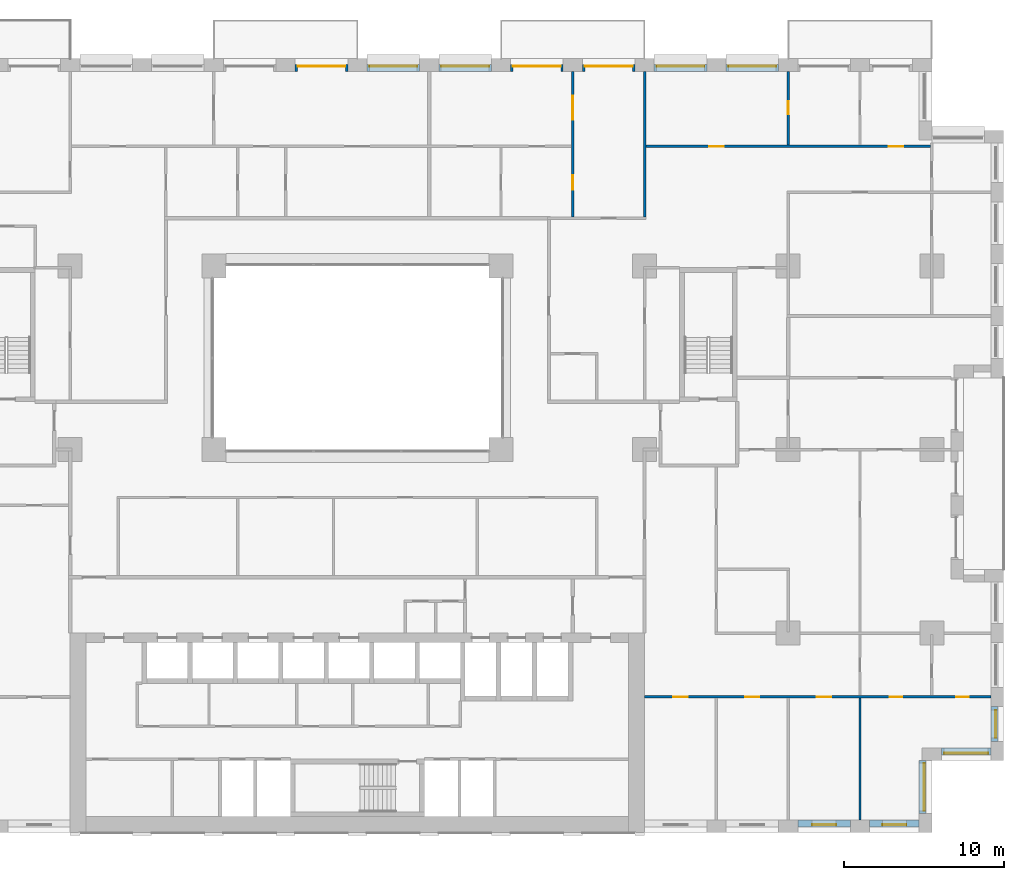
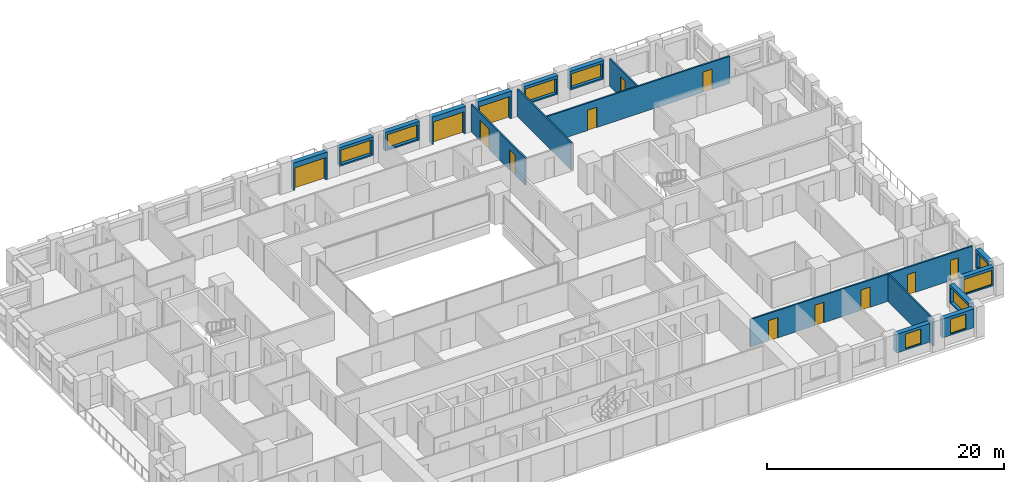
# One storey, part 15 of 19: 18 walls, 13 doors, 9 windows, 22 openings.
"""IFC4 building model written with IfcOpenShell, lengths in metres."""

from ifc_helpers import new_model, si_unit, direction, frame, frame_2d, origin, place, context, subcontext, project, spatial, rectangle, extrude, material, layer, layer_set, type_object, element, fill, save


model = new_model("IFC4")

# Units and contexts
model_context = context("Model", 3, precision=1e-05, world=origin(), true_north=direction((0.0, 1.0)))
body_context = subcontext(model_context, "Body", "Model", "MODEL_VIEW")
ifc_project = project(units=[si_unit("LENGTHUNIT", "METRE"), si_unit("AREAUNIT", "SQUARE_METRE"), si_unit("VOLUMEUNIT", "CUBIC_METRE"), si_unit("PLANEANGLEUNIT", "RADIAN"), si_unit("MASSUNIT", "GRAM", prefix="KILO")], contexts=[model_context])

# Site, building, storey
site_placement = place(None, origin())
site = spatial("IfcSite", under=ifc_project, at=site_placement, CompositionType="ELEMENT")
building_placement = place(site_placement, origin())
building = spatial("IfcBuilding", under=site, at=building_placement, Name="Brigalow Station Residences", CompositionType="ELEMENT")
storey_placement = place(building_placement, frame((0.0, 0.0, 32.10009765625)))
storey = spatial("IfcBuildingStorey", under=building, at=storey_placement, Name="L08", CompositionType="ELEMENT", Elevation=32.10009765625)

# Wall, opening, window
ifc_material_1 = material(Name="Clay brick masonry", Category="masonry")
ifc_layer_1 = layer(ifc_material_1, 0.449951171875)
ifc_layer_set_1 = layer_set([ifc_layer_1], Name="BRICK INFILL WALL 450")
wall_type_1 = type_object("IfcWallType", Name="BRICK INFILL WALL 450", PredefinedType="SOLIDWALL", material=ifc_layer_set_1)
wall_1_placement = place(storey_placement, frame((63.60009765625, 0.574951171875, 0.89990234375), z_axis=(0.0, 0.0, 1.0), x_axis=(1.0, 0.0, 0.0)))
wall_1 = element("IfcWall", 1, at=wall_1_placement, inside=storey, type_object=wall_type_1, Name="L08/ewall/W-L08-7", PredefinedType="SOLIDWALL", context=body_context, shape_type="SweptSolid", body=[
    extrude(rectangle(XDim=3.2998046875, YDim=0.449951171875, at=frame_2d((1.64990234375, 0.0))), origin(), (0.0, 0.0, 1.0), 1.929931640625),
])
opening_1_placement = place(wall_1_placement, frame((0.89990234375, 0.0, 0.14990234375)))
opening_1 = element("IfcOpeningElement", 2, at=opening_1_placement, cuts=wall_1, Name="Opening WT-1", PredefinedType="OPENING", context=body_context, shape_type="SweptSolid", body=[
    extrude(rectangle(XDim=1.5, YDim=1.5, at=frame_2d((0.75, 0.75))), frame((0.0, 0.23486328125, 0.0), z_axis=(0.0, -1.0, 0.0), x_axis=(1.0, 0.0, 0.0)), (0.0, 0.0, 1.0), 0.469970703125),
])
ifc_material_2 = material(Name="Anodised aluminium frame with double glazing", Category="aluminium")
window_type_1 = type_object("IfcWindowType", Name="WINDOW 1500x1500", PartitioningType="SINGLE_PANEL", PredefinedType="WINDOW", material=ifc_material_2)
window_1_placement = place(opening_1_placement, origin())
window_1 = element("IfcWindow", 3, at=window_1_placement, inside=storey, type_object=window_type_1, Name="L08/window/W-L08-7", OverallHeight=1.5, OverallWidth=1.5, PartitioningType="SINGLE_PANEL", PredefinedType="WINDOW", context=body_context, shape_type="SweptSolid", body=[
    extrude(rectangle(XDim=1.5, YDim=1.5, at=frame_2d((0.75, 0.75))), frame((0.0, -0.06494140625, 0.0), z_axis=(0.0, -1.0, 0.0), x_axis=(1.0, 0.0, 0.0)), (0.0, 0.0, 1.0), 0.06005859375),
])
fill(opening_1, window_1)

wall_2_placement = place(storey_placement, frame((68.10009765625, 0.574951171875, 0.89990234375), z_axis=(0.0, 0.0, 1.0), x_axis=(1.0, 0.0, 0.0)))
wall_2 = element("IfcWall", 4, at=wall_2_placement, inside=storey, type_object=wall_type_1, Name="L08/ewall/W-L08-8", PredefinedType="SOLIDWALL", context=body_context, shape_type="SweptSolid", body=[
    extrude(rectangle(XDim=3.099853515625, YDim=0.449951171875, at=frame_2d((1.5498046875, 0.0))), origin(), (0.0, 0.0, 1.0), 1.929931640625),
])
opening_2_placement = place(wall_2_placement, frame((0.800048828125, 0.0, 0.14990234375)))
opening_2 = element("IfcOpeningElement", 5, at=opening_2_placement, cuts=wall_2, Name="Opening WT-1", PredefinedType="OPENING", context=body_context, shape_type="SweptSolid", body=[
    extrude(rectangle(XDim=1.5, YDim=1.5, at=frame_2d((0.75, 0.75))), frame((0.0, 0.23486328125, 0.0), z_axis=(0.0, -1.0, 0.0), x_axis=(1.0, 0.0, 0.0)), (0.0, 0.0, 1.0), 0.469970703125),
])
window_2_placement = place(opening_2_placement, origin())
window_2 = element("IfcWindow", 6, at=window_2_placement, inside=storey, type_object=window_type_1, Name="L08/window/W-L08-8", OverallHeight=1.5, OverallWidth=1.5, PartitioningType="SINGLE_PANEL", PredefinedType="WINDOW", context=body_context, shape_type="SweptSolid", body=[
    extrude(rectangle(XDim=1.5, YDim=1.5, at=frame_2d((0.75, 0.75))), frame((0.0, -0.06494140625, 0.0), z_axis=(0.0, -1.0, 0.0), x_axis=(1.0, 0.0, 0.0)), (0.0, 0.0, 1.0), 0.06005859375),
])
fill(opening_2, window_2)

wall_3_placement = place(storey_placement, frame((71.425048828125, 1.199951171875, 0.89990234375), z_axis=(0.0, 0.0, 1.0), x_axis=(0.0, 1.0, 0.0)))
wall_3 = element("IfcWall", 7, at=wall_3_placement, inside=storey, type_object=wall_type_1, Name="L08/ewall/W-L08-9", PredefinedType="SOLIDWALL", context=body_context, shape_type="SweptSolid", body=[
    extrude(rectangle(XDim=3.300048828125, YDim=0.449951171875, at=frame_2d((1.64990234375, 0.0))), origin(), (0.0, 0.0, 1.0), 1.929931640625),
])
opening_3_placement = place(wall_3_placement, frame((0.14990234375, 0.0, 0.14990234375)))
opening_3 = element("IfcOpeningElement", 8, at=opening_3_placement, cuts=wall_3, Name="Opening WT-2", PredefinedType="OPENING", context=body_context, shape_type="SweptSolid", body=[
    extrude(rectangle(XDim=3.0, YDim=1.5, at=frame_2d((1.5, 0.75))), frame((0.0, 0.23486328125, 0.0), z_axis=(0.0, -1.0, 0.0), x_axis=(1.0, 0.0, 0.0)), (0.0, 0.0, 1.0), 0.469970703125),
])
ifc_material_3 = material(Name="Anodised aluminium frame with double glazing", Category="aluminium")
window_type_2 = type_object("IfcWindowType", Name="WINDOW 3000x1500", PartitioningType="SINGLE_PANEL", PredefinedType="WINDOW", material=ifc_material_3)
window_3_placement = place(opening_3_placement, origin())
window_3 = element("IfcWindow", 9, at=window_3_placement, inside=storey, type_object=window_type_2, Name="L08/window/W-L08-9", OverallHeight=1.5, OverallWidth=3.0, PartitioningType="SINGLE_PANEL", PredefinedType="WINDOW", context=body_context, shape_type="SweptSolid", body=[
    extrude(rectangle(XDim=3.0, YDim=1.5, at=frame_2d((1.5, 0.75))), frame((0.0, -0.06494140625, 0.0), z_axis=(0.0, -1.0, 0.0), x_axis=(1.0, 0.0, 0.0)), (0.0, 0.0, 1.0), 0.06005859375),
])
fill(opening_3, window_3)

wall_4_placement = place(storey_placement, frame((72.60009765625, 5.074951171875, 0.89990234375), z_axis=(0.0, 0.0, 1.0), x_axis=(1.0, 0.0, 0.0)))
wall_4 = element("IfcWall", 10, at=wall_4_placement, inside=storey, type_object=wall_type_1, Name="L08/ewall/W-L08-10", PredefinedType="SOLIDWALL", context=body_context, shape_type="SweptSolid", body=[
    extrude(rectangle(XDim=3.099853515625, YDim=0.449951171875, at=frame_2d((1.5498046875, 0.0))), origin(), (0.0, 0.0, 1.0), 1.929931640625),
])
opening_4_placement = place(wall_4_placement, frame((0.175048828125, 0.0, 0.14990234375)))
opening_4 = element("IfcOpeningElement", 11, at=opening_4_placement, cuts=wall_4, Name="Opening WT-3", PredefinedType="OPENING", context=body_context, shape_type="SweptSolid", body=[
    extrude(rectangle(XDim=2.75, YDim=1.5, at=frame_2d((1.375, 0.75))), frame((0.0, 0.23486328125, 0.0), z_axis=(0.0, -1.0, 0.0), x_axis=(1.0, 0.0, 0.0)), (0.0, 0.0, 1.0), 0.469970703125),
])
ifc_material_4 = material(Name="Anodised aluminium frame with double glazing", Category="aluminium")
window_type_3 = type_object("IfcWindowType", Name="WINDOW 2750x1500", PartitioningType="SINGLE_PANEL", PredefinedType="WINDOW", material=ifc_material_4)
window_4_placement = place(opening_4_placement, origin())
window_4 = element("IfcWindow", 12, at=window_4_placement, inside=storey, type_object=window_type_3, Name="L08/window/W-L08-10", OverallHeight=1.5, OverallWidth=2.75, PartitioningType="SINGLE_PANEL", PredefinedType="WINDOW", context=body_context, shape_type="SweptSolid", body=[
    extrude(rectangle(XDim=2.75, YDim=1.5, at=frame_2d((1.375, 0.75))), frame((0.0, -0.06494140625, 0.0), z_axis=(0.0, -1.0, 0.0), x_axis=(1.0, 0.0, 0.0)), (0.0, 0.0, 1.0), 0.06005859375),
])
fill(opening_4, window_4)

wall_5_placement = place(storey_placement, frame((75.925048828125, 5.699951171875, 0.89990234375), z_axis=(0.0, 0.0, 1.0), x_axis=(0.0, 1.0, 0.0)))
wall_5 = element("IfcWall", 13, at=wall_5_placement, inside=storey, type_object=wall_type_1, Name="L08/ewall/W-L08-11", PredefinedType="SOLIDWALL", context=body_context, shape_type="SweptSolid", body=[
    extrude(rectangle(XDim=2.199951171875, YDim=0.449951171875, at=frame_2d((1.10009765625, 0.0))), origin(), (0.0, 0.0, 1.0), 1.929931640625),
])
opening_5_placement = place(wall_5_placement, frame((0.22509765625, 0.0, 0.14990234375)))
opening_5 = element("IfcOpeningElement", 14, at=opening_5_placement, cuts=wall_5, Name="Opening WT-4", PredefinedType="OPENING", context=body_context, shape_type="SweptSolid", body=[
    extrude(rectangle(XDim=1.75, YDim=1.5, at=frame_2d((0.875, 0.75))), frame((0.0, 0.23486328125, 0.0), z_axis=(0.0, -1.0, 0.0), x_axis=(1.0, 0.0, 0.0)), (0.0, 0.0, 1.0), 0.469970703125),
])
ifc_material_5 = material(Name="Anodised aluminium frame with double glazing", Category="aluminium")
window_type_4 = type_object("IfcWindowType", Name="WINDOW 1750x1500", PartitioningType="SINGLE_PANEL", PredefinedType="WINDOW", material=ifc_material_5)
window_5_placement = place(opening_5_placement, origin())
window_5 = element("IfcWindow", 15, at=window_5_placement, inside=storey, type_object=window_type_4, Name="L08/window/W-L08-11", OverallHeight=1.5, OverallWidth=1.75, PartitioningType="SINGLE_PANEL", PredefinedType="WINDOW", context=body_context, shape_type="SweptSolid", body=[
    extrude(rectangle(XDim=1.75, YDim=1.5, at=frame_2d((0.875, 0.75))), frame((0.0, -0.06494140625, 0.0), z_axis=(0.0, -1.0, 0.0), x_axis=(1.0, 0.0, 0.0)), (0.0, 0.0, 1.0), 0.06005859375),
])
fill(opening_5, window_5)

wall_6_placement = place(storey_placement, frame((62.39990234375, 47.925048828125, 0.89990234375), z_axis=(0.0, 0.0, 1.0), x_axis=(-1.0, 0.0, 0.0)))
wall_6 = element("IfcWall", 16, at=wall_6_placement, inside=storey, type_object=wall_type_1, Name="L08/ewall/W-L08-27", PredefinedType="SOLIDWALL", context=body_context, shape_type="SweptSolid", body=[
    extrude(rectangle(XDim=3.2998046875, YDim=0.449951171875, at=frame_2d((1.64990234375, 0.0))), origin(), (0.0, 0.0, 1.0), 1.929931640625),
])
opening_6_placement = place(wall_6_placement, frame((0.14990234375, 0.0, 0.14990234375)))
opening_6 = element("IfcOpeningElement", 17, at=opening_6_placement, cuts=wall_6, Name="Opening WT-2", PredefinedType="OPENING", context=body_context, shape_type="SweptSolid", body=[
    extrude(rectangle(XDim=3.0, YDim=1.5, at=frame_2d((1.5, 0.75))), frame((0.0, 0.23486328125, 0.0), z_axis=(0.0, -1.0, 0.0), x_axis=(1.0, 0.0, 0.0)), (0.0, 0.0, 1.0), 0.469970703125),
])
window_6_placement = place(opening_6_placement, origin())
window_6 = element("IfcWindow", 18, at=window_6_placement, inside=storey, type_object=window_type_2, Name="L08/window/W-L08-27", OverallHeight=1.5, OverallWidth=3.0, PartitioningType="SINGLE_PANEL", PredefinedType="WINDOW", context=body_context, shape_type="SweptSolid", body=[
    extrude(rectangle(XDim=3.0, YDim=1.5, at=frame_2d((1.5, 0.75))), frame((0.0, -0.06494140625, 0.0), z_axis=(0.0, -1.0, 0.0), x_axis=(1.0, 0.0, 0.0)), (0.0, 0.0, 1.0), 0.06005859375),
])
fill(opening_6, window_6)

wall_7_placement = place(storey_placement, frame((57.89990234375, 47.925048828125, 0.89990234375), z_axis=(0.0, 0.0, 1.0), x_axis=(-1.0, 0.0, 0.0)))
wall_7 = element("IfcWall", 19, at=wall_7_placement, inside=storey, type_object=wall_type_1, Name="L08/ewall/W-L08-28", PredefinedType="SOLIDWALL", context=body_context, shape_type="SweptSolid", body=[
    extrude(rectangle(XDim=3.2998046875, YDim=0.449951171875, at=frame_2d((1.64990234375, 0.0))), origin(), (0.0, 0.0, 1.0), 1.929931640625),
])
opening_7_placement = place(wall_7_placement, frame((0.14990234375, 0.0, 0.14990234375)))
opening_7 = element("IfcOpeningElement", 20, at=opening_7_placement, cuts=wall_7, Name="Opening WT-2", PredefinedType="OPENING", context=body_context, shape_type="SweptSolid", body=[
    extrude(rectangle(XDim=3.0, YDim=1.5, at=frame_2d((1.5, 0.75))), frame((0.0, 0.23486328125, 0.0), z_axis=(0.0, -1.0, 0.0), x_axis=(1.0, 0.0, 0.0)), (0.0, 0.0, 1.0), 0.469970703125),
])
window_7_placement = place(opening_7_placement, origin())
window_7 = element("IfcWindow", 21, at=window_7_placement, inside=storey, type_object=window_type_2, Name="L08/window/W-L08-28", OverallHeight=1.5, OverallWidth=3.0, PartitioningType="SINGLE_PANEL", PredefinedType="WINDOW", context=body_context, shape_type="SweptSolid", body=[
    extrude(rectangle(XDim=3.0, YDim=1.5, at=frame_2d((1.5, 0.75))), frame((0.0, -0.06494140625, 0.0), z_axis=(0.0, -1.0, 0.0), x_axis=(1.0, 0.0, 0.0)), (0.0, 0.0, 1.0), 0.06005859375),
])
fill(opening_7, window_7)

# Wall, opening, door
wall_8_placement = place(storey_placement, frame((53.39990234375, 47.925048828125, 0.0), z_axis=(0.0, 0.0, 1.0), x_axis=(-1.0, 0.0, 0.0)))
wall_8 = element("IfcWall", 22, at=wall_8_placement, inside=storey, type_object=wall_type_1, Name="L08/ewall/W-L08-29", PredefinedType="SOLIDWALL", context=body_context, shape_type="SweptSolid", body=[
    extrude(rectangle(XDim=3.2998046875, YDim=0.449951171875, at=frame_2d((1.64990234375, 0.0))), origin(), (0.0, 0.0, 1.0), 2.829833984375),
])
opening_8_placement = place(wall_8_placement, frame((0.14990234375, 0.0, 0.0)))
opening_8 = element("IfcOpeningElement", 23, at=opening_8_placement, cuts=wall_8, Name="Opening D-B3000", PredefinedType="OPENING", context=body_context, shape_type="SweptSolid", body=[
    extrude(rectangle(XDim=3.0, YDim=2.300048828125, at=frame_2d((1.5, 1.14990234375))), frame((0.0, 0.23486328125, 0.0), z_axis=(0.0, -1.0, 0.0), x_axis=(1.0, 0.0, 0.0)), (0.0, 0.0, 1.0), 0.469970703125),
])
ifc_material_6 = material(Name="Anodised aluminium frame with double glazing", Category="aluminium")
door_type_1 = type_object("IfcDoorType", Name="BALCONY SLIDING DOOR 3000x2300", OperationType="SLIDING_TO_LEFT", PredefinedType="DOOR", material=ifc_material_6)
door_1_placement = place(opening_8_placement, origin())
door_1 = element("IfcDoor", 24, at=door_1_placement, inside=storey, type_object=door_type_1, Name="L08/balcony-door/W-L08-29", OperationType="SLIDING_TO_LEFT", OverallHeight=2.300048828125, OverallWidth=3.0, PredefinedType="DOOR", context=body_context, shape_type="SweptSolid", body=[
    extrude(rectangle(XDim=3.0, YDim=2.300048828125, at=frame_2d((1.5, 1.14990234375))), frame((0.0, -0.06982421875, 0.0), z_axis=(0.0, -1.0, 0.0), x_axis=(1.0, 0.0, 0.0)), (0.0, 0.0, 1.0), 0.050048828125),
])
fill(opening_8, door_1)

wall_9_placement = place(storey_placement, frame((48.89990234375, 47.925048828125, 0.0), z_axis=(0.0, 0.0, 1.0), x_axis=(-1.0, 0.0, 0.0)))
wall_9 = element("IfcWall", 25, at=wall_9_placement, inside=storey, type_object=wall_type_1, Name="L08/ewall/W-L08-30", PredefinedType="SOLIDWALL", context=body_context, shape_type="SweptSolid", body=[
    extrude(rectangle(XDim=3.2998046875, YDim=0.449951171875, at=frame_2d((1.64990234375, 0.0))), origin(), (0.0, 0.0, 1.0), 2.829833984375),
])
opening_9_placement = place(wall_9_placement, frame((0.14990234375, 0.0, 0.0)))
opening_9 = element("IfcOpeningElement", 26, at=opening_9_placement, cuts=wall_9, Name="Opening D-B3000", PredefinedType="OPENING", context=body_context, shape_type="SweptSolid", body=[
    extrude(rectangle(XDim=3.0, YDim=2.300048828125, at=frame_2d((1.5, 1.14990234375))), frame((0.0, 0.23486328125, 0.0), z_axis=(0.0, -1.0, 0.0), x_axis=(1.0, 0.0, 0.0)), (0.0, 0.0, 1.0), 0.469970703125),
])
door_2_placement = place(opening_9_placement, origin())
door_2 = element("IfcDoor", 27, at=door_2_placement, inside=storey, type_object=door_type_1, Name="L08/balcony-door/W-L08-30", OperationType="SLIDING_TO_LEFT", OverallHeight=2.300048828125, OverallWidth=3.0, PredefinedType="DOOR", context=body_context, shape_type="SweptSolid", body=[
    extrude(rectangle(XDim=3.0, YDim=2.300048828125, at=frame_2d((1.5, 1.14990234375))), frame((0.0, -0.06982421875, 0.0), z_axis=(0.0, -1.0, 0.0), x_axis=(1.0, 0.0, 0.0)), (0.0, 0.0, 1.0), 0.050048828125),
])
fill(opening_9, door_2)

# Wall, opening, window
wall_10_placement = place(storey_placement, frame((44.39990234375, 47.925048828125, 0.89990234375), z_axis=(0.0, 0.0, 1.0), x_axis=(-1.0, 0.0, 0.0)))
wall_10 = element("IfcWall", 28, at=wall_10_placement, inside=storey, type_object=wall_type_1, Name="L08/ewall/W-L08-31", PredefinedType="SOLIDWALL", context=body_context, shape_type="SweptSolid", body=[
    extrude(rectangle(XDim=3.2998046875, YDim=0.449951171875, at=frame_2d((1.64990234375, 0.0))), origin(), (0.0, 0.0, 1.0), 1.929931640625),
])
opening_10_placement = place(wall_10_placement, frame((0.14990234375, 0.0, 0.14990234375)))
opening_10 = element("IfcOpeningElement", 29, at=opening_10_placement, cuts=wall_10, Name="Opening WT-2", PredefinedType="OPENING", context=body_context, shape_type="SweptSolid", body=[
    extrude(rectangle(XDim=3.0, YDim=1.5, at=frame_2d((1.5, 0.75))), frame((0.0, 0.23486328125, 0.0), z_axis=(0.0, -1.0, 0.0), x_axis=(1.0, 0.0, 0.0)), (0.0, 0.0, 1.0), 0.469970703125),
])
window_8_placement = place(opening_10_placement, origin())
window_8 = element("IfcWindow", 30, at=window_8_placement, inside=storey, type_object=window_type_2, Name="L08/window/W-L08-31", OverallHeight=1.5, OverallWidth=3.0, PartitioningType="SINGLE_PANEL", PredefinedType="WINDOW", context=body_context, shape_type="SweptSolid", body=[
    extrude(rectangle(XDim=3.0, YDim=1.5, at=frame_2d((1.5, 0.75))), frame((0.0, -0.06494140625, 0.0), z_axis=(0.0, -1.0, 0.0), x_axis=(1.0, 0.0, 0.0)), (0.0, 0.0, 1.0), 0.06005859375),
])
fill(opening_10, window_8)

wall_11_placement = place(storey_placement, frame((39.89990234375, 47.925048828125, 0.89990234375), z_axis=(0.0, 0.0, 1.0), x_axis=(-1.0, 0.0, 0.0)))
wall_11 = element("IfcWall", 31, at=wall_11_placement, inside=storey, type_object=wall_type_1, Name="L08/ewall/W-L08-32", PredefinedType="SOLIDWALL", context=body_context, shape_type="SweptSolid", body=[
    extrude(rectangle(XDim=3.2998046875, YDim=0.449951171875, at=frame_2d((1.64990234375, 0.0))), origin(), (0.0, 0.0, 1.0), 1.929931640625),
])
opening_11_placement = place(wall_11_placement, frame((0.14990234375, 0.0, 0.14990234375)))
opening_11 = element("IfcOpeningElement", 32, at=opening_11_placement, cuts=wall_11, Name="Opening WT-2", PredefinedType="OPENING", context=body_context, shape_type="SweptSolid", body=[
    extrude(rectangle(XDim=3.0, YDim=1.5, at=frame_2d((1.5, 0.75))), frame((0.0, 0.23486328125, 0.0), z_axis=(0.0, -1.0, 0.0), x_axis=(1.0, 0.0, 0.0)), (0.0, 0.0, 1.0), 0.469970703125),
])
window_9_placement = place(opening_11_placement, origin())
window_9 = element("IfcWindow", 33, at=window_9_placement, inside=storey, type_object=window_type_2, Name="L08/window/W-L08-32", OverallHeight=1.5, OverallWidth=3.0, PartitioningType="SINGLE_PANEL", PredefinedType="WINDOW", context=body_context, shape_type="SweptSolid", body=[
    extrude(rectangle(XDim=3.0, YDim=1.5, at=frame_2d((1.5, 0.75))), frame((0.0, -0.06494140625, 0.0), z_axis=(0.0, -1.0, 0.0), x_axis=(1.0, 0.0, 0.0)), (0.0, 0.0, 1.0), 0.06005859375),
])
fill(opening_11, window_9)

# Wall, opening, door
wall_12_placement = place(storey_placement, frame((35.39990234375, 47.925048828125, 0.0), z_axis=(0.0, 0.0, 1.0), x_axis=(-1.0, 0.0, 0.0)))
wall_12 = element("IfcWall", 34, at=wall_12_placement, inside=storey, type_object=wall_type_1, Name="L08/ewall/W-L08-33", PredefinedType="SOLIDWALL", context=body_context, shape_type="SweptSolid", body=[
    extrude(rectangle(XDim=3.2998046875, YDim=0.449951171875, at=frame_2d((1.64990234375, 0.0))), origin(), (0.0, 0.0, 1.0), 2.829833984375),
])
opening_12_placement = place(wall_12_placement, frame((0.14990234375, 0.0, 0.0)))
opening_12 = element("IfcOpeningElement", 35, at=opening_12_placement, cuts=wall_12, Name="Opening D-B3000", PredefinedType="OPENING", context=body_context, shape_type="SweptSolid", body=[
    extrude(rectangle(XDim=3.0, YDim=2.300048828125, at=frame_2d((1.5, 1.14990234375))), frame((0.0, 0.23486328125, 0.0), z_axis=(0.0, -1.0, 0.0), x_axis=(1.0, 0.0, 0.0)), (0.0, 0.0, 1.0), 0.469970703125),
])
door_3_placement = place(opening_12_placement, origin())
door_3 = element("IfcDoor", 36, at=door_3_placement, inside=storey, type_object=door_type_1, Name="L08/balcony-door/W-L08-33", OperationType="SLIDING_TO_LEFT", OverallHeight=2.300048828125, OverallWidth=3.0, PredefinedType="DOOR", context=body_context, shape_type="SweptSolid", body=[
    extrude(rectangle(XDim=3.0, YDim=2.300048828125, at=frame_2d((1.5, 1.14990234375))), frame((0.0, -0.06982421875, 0.0), z_axis=(0.0, -1.0, 0.0), x_axis=(1.0, 0.0, 0.0)), (0.0, 0.0, 1.0), 0.050048828125),
])
fill(opening_12, door_3)

# Wall, openings, doors
ifc_material_7 = material(Name="Plasterboard on steel stud partition", Category="steel")
ifc_layer_2 = layer(ifc_material_7, 0.14990234375)
ifc_layer_set_2 = layer_set([ifc_layer_2], Name="FLAT PARTITION 150")
wall_type_2 = type_object("IfcWallType", Name="FLAT PARTITION 150", PredefinedType="PARTITIONING", material=ifc_layer_set_2)
wall_13_placement = place(storey_placement, frame((54.0, 8.5, 0.0), z_axis=(0.0, 0.0, 1.0), x_axis=(1.0, 0.0, 0.0)))
wall_13 = element("IfcWall", 37, at=wall_13_placement, inside=storey, type_object=wall_type_2, Name="PW-1B13", PredefinedType="PARTITIONING", context=body_context, shape_type="SweptSolid", body=[
    extrude(rectangle(XDim=21.699951171875, YDim=0.14990234375, at=frame_2d((10.85009765625, 0.0))), origin(), (0.0, 0.0, 1.0), 2.829833984375),
])
opening_13_placement = place(wall_13_placement, frame((1.800048828125, 0.0, 0.0)))
opening_13 = element("IfcOpeningElement", 38, at=opening_13_placement, cuts=wall_13, Name="Opening D-1B55", PredefinedType="OPENING", context=body_context, shape_type="SweptSolid", body=[
    extrude(rectangle(XDim=0.89990234375, YDim=2.10009765625, at=frame_2d((0.449951171875, 1.050048828125))), frame((0.0, 0.0849609375, 0.0), z_axis=(0.0, -1.0, 0.0), x_axis=(1.0, 0.0, 0.0)), (0.0, 0.0, 1.0), 0.169921875),
])
opening_14_placement = place(wall_13_placement, frame((6.300048828125, 0.0, 0.0)))
opening_14 = element("IfcOpeningElement", 39, at=opening_14_placement, cuts=wall_13, Name="Opening D-1B56", PredefinedType="OPENING", context=body_context, shape_type="SweptSolid", body=[
    extrude(rectangle(XDim=0.89990234375, YDim=2.10009765625, at=frame_2d((0.449951171875, 1.050048828125))), frame((0.0, 0.0849609375, 0.0), z_axis=(0.0, -1.0, 0.0), x_axis=(1.0, 0.0, 0.0)), (0.0, 0.0, 1.0), 0.169921875),
])
opening_15_placement = place(wall_13_placement, frame((10.800048828125, 0.0, 0.0)))
opening_15 = element("IfcOpeningElement", 40, at=opening_15_placement, cuts=wall_13, Name="Opening D-1B57", PredefinedType="OPENING", context=body_context, shape_type="SweptSolid", body=[
    extrude(rectangle(XDim=0.89990234375, YDim=2.10009765625, at=frame_2d((0.449951171875, 1.050048828125))), frame((0.0, 0.0849609375, 0.0), z_axis=(0.0, -1.0, 0.0), x_axis=(1.0, 0.0, 0.0)), (0.0, 0.0, 1.0), 0.169921875),
])
opening_16_placement = place(wall_13_placement, frame((19.52490234375, 0.0, 0.0)))
opening_16 = element("IfcOpeningElement", 41, at=opening_16_placement, cuts=wall_13, Name="Opening D-1B62", PredefinedType="OPENING", context=body_context, shape_type="SweptSolid", body=[
    extrude(rectangle(XDim=0.800048828125, YDim=2.10009765625, at=frame_2d((0.39990234375, 1.050048828125))), frame((0.0, 0.0849609375, 0.0), z_axis=(0.0, -1.0, 0.0), x_axis=(1.0, 0.0, 0.0)), (0.0, 0.0, 1.0), 0.169921875),
])
opening_17_placement = place(wall_13_placement, frame((15.35009765625, 0.0, 0.0)))
opening_17 = element("IfcOpeningElement", 42, at=opening_17_placement, cuts=wall_13, Name="Opening D-1B68", PredefinedType="OPENING", context=body_context, shape_type="SweptSolid", body=[
    extrude(rectangle(XDim=0.800048828125, YDim=2.10009765625, at=frame_2d((0.39990234375, 1.050048828125))), frame((0.0, 0.0849609375, 0.0), z_axis=(0.0, -1.0, 0.0), x_axis=(1.0, 0.0, 0.0)), (0.0, 0.0, 1.0), 0.169921875),
])
ifc_material_8 = material(Name="Solid-core timber door leaf", Category="wood")
door_type_2 = type_object("IfcDoorType", Name="INTERNAL DOOR 800 x 2100", OperationType="SINGLE_SWING_LEFT", PredefinedType="DOOR", material=ifc_material_8)
door_4_placement = place(opening_16_placement, origin())
door_4 = element("IfcDoor", 43, at=door_4_placement, inside=storey, type_object=door_type_2, Name="D-1B62", OperationType="SINGLE_SWING_RIGHT", OverallHeight=2.10009765625, OverallWidth=0.800048828125, PredefinedType="DOOR", context=body_context, shape_type="SweptSolid", body=[
    extrude(rectangle(XDim=0.800048828125, YDim=2.10009765625, at=frame_2d((0.39990234375, 1.050048828125))), frame((0.0, 0.02490234375, 0.0), z_axis=(0.0, -1.0, 0.0), x_axis=(1.0, 0.0, 0.0)), (0.0, 0.0, 1.0), 0.050048828125),
])
fill(opening_16, door_4)
door_5_placement = place(opening_17_placement, origin())
door_5 = element("IfcDoor", 44, at=door_5_placement, inside=storey, type_object=door_type_2, Name="D-1B68", OperationType="SINGLE_SWING_RIGHT", OverallHeight=2.10009765625, OverallWidth=0.800048828125, PredefinedType="DOOR", context=body_context, shape_type="SweptSolid", body=[
    extrude(rectangle(XDim=0.800048828125, YDim=2.10009765625, at=frame_2d((0.39990234375, 1.050048828125))), frame((0.0, 0.02490234375, 0.0), z_axis=(0.0, -1.0, 0.0), x_axis=(1.0, 0.0, 0.0)), (0.0, 0.0, 1.0), 0.050048828125),
])
fill(opening_17, door_5)
ifc_material_9 = material(Name="Solid-core timber door leaf", Category="wood")
door_type_3 = type_object("IfcDoorType", Name="INTERNAL DOOR 900 x 2100", OperationType="SINGLE_SWING_LEFT", PredefinedType="DOOR", material=ifc_material_9)
door_6_placement = place(opening_13_placement, frame((0.89990234375, 0.0, 0.0), z_axis=(0.0, 0.0, 1.0), x_axis=(-1.0, 0.0, 0.0)))
door_6 = element("IfcDoor", 45, at=door_6_placement, inside=storey, type_object=door_type_3, Name="D-1B55", OperationType="SINGLE_SWING_LEFT", OverallHeight=2.10009765625, OverallWidth=0.89990234375, PredefinedType="DOOR", context=body_context, shape_type="SweptSolid", body=[
    extrude(rectangle(XDim=0.89990234375, YDim=2.10009765625, at=frame_2d((0.449951171875, 1.050048828125))), frame((0.0, 0.02490234375, 0.0), z_axis=(0.0, -1.0, 0.0), x_axis=(1.0, 0.0, 0.0)), (0.0, 0.0, 1.0), 0.050048828125),
])
fill(opening_13, door_6)
door_7_placement = place(opening_14_placement, frame((0.89990234375, 0.0, 0.0), z_axis=(0.0, 0.0, 1.0), x_axis=(-1.0, 0.0, 0.0)))
door_7 = element("IfcDoor", 46, at=door_7_placement, inside=storey, type_object=door_type_3, Name="D-1B56", OperationType="SINGLE_SWING_LEFT", OverallHeight=2.10009765625, OverallWidth=0.89990234375, PredefinedType="DOOR", context=body_context, shape_type="SweptSolid", body=[
    extrude(rectangle(XDim=0.89990234375, YDim=2.10009765625, at=frame_2d((0.449951171875, 1.050048828125))), frame((0.0, 0.02490234375, 0.0), z_axis=(0.0, -1.0, 0.0), x_axis=(1.0, 0.0, 0.0)), (0.0, 0.0, 1.0), 0.050048828125),
])
fill(opening_14, door_7)
door_8_placement = place(opening_15_placement, frame((0.89990234375, 0.0, 0.0), z_axis=(0.0, 0.0, 1.0), x_axis=(-1.0, 0.0, 0.0)))
door_8 = element("IfcDoor", 47, at=door_8_placement, inside=storey, type_object=door_type_3, Name="D-1B57", OperationType="SINGLE_SWING_RIGHT", OverallHeight=2.10009765625, OverallWidth=0.89990234375, PredefinedType="DOOR", context=body_context, shape_type="SweptSolid", body=[
    extrude(rectangle(XDim=0.89990234375, YDim=2.10009765625, at=frame_2d((0.449951171875, 1.050048828125))), frame((0.0, 0.02490234375, 0.0), z_axis=(0.0, -1.0, 0.0), x_axis=(1.0, 0.0, 0.0)), (0.0, 0.0, 1.0), 0.050048828125),
])
fill(opening_15, door_8)

wall_14_placement = place(storey_placement, frame((54.074951171875, 43.0, 0.0), z_axis=(0.0, 0.0, 1.0), x_axis=(1.0, 0.0, 0.0)))
wall_14 = element("IfcWall", 48, at=wall_14_placement, inside=storey, type_object=wall_type_2, Name="PW-1B24", PredefinedType="PARTITIONING", context=body_context, shape_type="SweptSolid", body=[
    extrude(rectangle(XDim=17.85009765625, YDim=0.14990234375, at=frame_2d((8.925048828125, 0.0))), origin(), (0.0, 0.0, 1.0), 2.829833984375),
])
opening_18_placement = place(wall_14_placement, frame((15.22509765625, 0.0, 0.0)))
opening_18 = element("IfcOpeningElement", 49, at=opening_18_placement, cuts=wall_14, Name="Opening D-1B38", PredefinedType="OPENING", context=body_context, shape_type="SweptSolid", body=[
    extrude(rectangle(XDim=0.89990234375, YDim=2.10009765625, at=frame_2d((0.449951171875, 1.050048828125))), frame((0.0, 0.0849609375, 0.0), z_axis=(0.0, -1.0, 0.0), x_axis=(1.0, 0.0, 0.0)), (0.0, 0.0, 1.0), 0.169921875),
])
opening_19_placement = place(wall_14_placement, frame((3.97509765625, 0.0, 0.0)))
opening_19 = element("IfcOpeningElement", 50, at=opening_19_placement, cuts=wall_14, Name="Opening D-1B44", PredefinedType="OPENING", context=body_context, shape_type="SweptSolid", body=[
    extrude(rectangle(XDim=0.89990234375, YDim=2.10009765625, at=frame_2d((0.449951171875, 1.050048828125))), frame((0.0, 0.0849609375, 0.0), z_axis=(0.0, -1.0, 0.0), x_axis=(1.0, 0.0, 0.0)), (0.0, 0.0, 1.0), 0.169921875),
])
door_9_placement = place(opening_18_placement, origin())
door_9 = element("IfcDoor", 51, at=door_9_placement, inside=storey, type_object=door_type_3, Name="D-1B38", OperationType="SINGLE_SWING_RIGHT", OverallHeight=2.10009765625, OverallWidth=0.89990234375, PredefinedType="DOOR", context=body_context, shape_type="SweptSolid", body=[
    extrude(rectangle(XDim=0.89990234375, YDim=2.10009765625, at=frame_2d((0.449951171875, 1.050048828125))), frame((0.0, 0.02490234375, 0.0), z_axis=(0.0, -1.0, 0.0), x_axis=(1.0, 0.0, 0.0)), (0.0, 0.0, 1.0), 0.050048828125),
])
fill(opening_18, door_9)
door_10_placement = place(opening_19_placement, origin())
door_10 = element("IfcDoor", 52, at=door_10_placement, inside=storey, type_object=door_type_3, Name="D-1B44", OperationType="SINGLE_SWING_RIGHT", OverallHeight=2.10009765625, OverallWidth=0.89990234375, PredefinedType="DOOR", context=body_context, shape_type="SweptSolid", body=[
    extrude(rectangle(XDim=0.89990234375, YDim=2.10009765625, at=frame_2d((0.449951171875, 1.050048828125))), frame((0.0, 0.02490234375, 0.0), z_axis=(0.0, -1.0, 0.0), x_axis=(1.0, 0.0, 0.0)), (0.0, 0.0, 1.0), 0.050048828125),
])
fill(opening_19, door_10)

# Wall
wall_15_placement = place(storey_placement, frame((54.0, 38.574951171875, 0.0), z_axis=(0.0, 0.0, 1.0), x_axis=(0.0, 1.0, 0.0)))
element("IfcWall", 53, at=wall_15_placement, inside=storey, type_object=wall_type_2, Name="PW-1B41", PredefinedType="PARTITIONING", context=body_context, shape_type="SweptSolid", body=[
    extrude(rectangle(XDim=9.125, YDim=0.14990234375, at=frame_2d((4.5625, 0.0))), origin(), (0.0, 0.0, 1.0), 2.829833984375),
])

# Wall, opening, door
wall_16_placement = place(storey_placement, frame((63.0, 43.074951171875, 0.0), z_axis=(0.0, 0.0, 1.0), x_axis=(0.0, 1.0, 0.0)))
wall_16 = element("IfcWall", 54, at=wall_16_placement, inside=storey, type_object=wall_type_2, Name="PW-1B72", PredefinedType="PARTITIONING", context=body_context, shape_type="SweptSolid", body=[
    extrude(rectangle(XDim=4.625, YDim=0.14990234375, at=frame_2d((2.3125, 0.0))), origin(), (0.0, 0.0, 1.0), 2.829833984375),
])
opening_20_placement = place(wall_16_placement, frame((1.949951171875, 0.0, 0.0)))
opening_20 = element("IfcOpeningElement", 55, at=opening_20_placement, cuts=wall_16, Name="Opening D-1B42", PredefinedType="OPENING", context=body_context, shape_type="SweptSolid", body=[
    extrude(rectangle(XDim=0.800048828125, YDim=2.10009765625, at=frame_2d((0.39990234375, 1.050048828125))), frame((0.0, 0.0849609375, 0.0), z_axis=(0.0, -1.0, 0.0), x_axis=(1.0, 0.0, 0.0)), (0.0, 0.0, 1.0), 0.169921875),
])
door_11_placement = place(opening_20_placement, frame((0.800048828125, 0.0, 0.0), z_axis=(0.0, 0.0, 1.0), x_axis=(-1.0, 0.0, 0.0)))
door_11 = element("IfcDoor", 56, at=door_11_placement, inside=storey, type_object=door_type_2, Name="D-1B42", OperationType="SINGLE_SWING_LEFT", OverallHeight=2.10009765625, OverallWidth=0.800048828125, PredefinedType="DOOR", context=body_context, shape_type="SweptSolid", body=[
    extrude(rectangle(XDim=0.800048828125, YDim=2.10009765625, at=frame_2d((0.39990234375, 1.050048828125))), frame((0.0, 0.02490234375, 0.0), z_axis=(0.0, -1.0, 0.0), x_axis=(1.0, 0.0, 0.0)), (0.0, 0.0, 1.0), 0.050048828125),
])
fill(opening_20, door_11)

# Wall, openings, doors
wall_17_placement = place(storey_placement, frame((49.5, 38.574951171875, 0.0), z_axis=(0.0, 0.0, 1.0), x_axis=(0.0, 1.0, 0.0)))
wall_17 = element("IfcWall", 57, at=wall_17_placement, inside=storey, type_object=wall_type_2, Name="PW-1B77", PredefinedType="PARTITIONING", context=body_context, shape_type="SweptSolid", body=[
    extrude(rectangle(XDim=9.125, YDim=0.14990234375, at=frame_2d((4.5625, 0.0))), origin(), (0.0, 0.0, 1.0), 2.829833984375),
])
opening_21_placement = place(wall_17_placement, frame((6.10009765625, 0.0, 0.0)))
opening_21 = element("IfcOpeningElement", 58, at=opening_21_placement, cuts=wall_17, Name="Opening D-1B40", PredefinedType="OPENING", context=body_context, shape_type="SweptSolid", body=[
    extrude(rectangle(XDim=1.5, YDim=2.10009765625, at=frame_2d((0.75, 1.050048828125))), frame((0.0, 0.0849609375, 0.0), z_axis=(0.0, -1.0, 0.0), x_axis=(1.0, 0.0, 0.0)), (0.0, 0.0, 1.0), 0.169921875),
])
opening_22_placement = place(wall_17_placement, frame((1.72509765625, 0.0, 0.0)))
opening_22 = element("IfcOpeningElement", 59, at=opening_22_placement, cuts=wall_17, Name="Opening D-1B51", PredefinedType="OPENING", context=body_context, shape_type="SweptSolid", body=[
    extrude(rectangle(XDim=0.89990234375, YDim=2.10009765625, at=frame_2d((0.449951171875, 1.050048828125))), frame((0.0, 0.0849609375, 0.0), z_axis=(0.0, -1.0, 0.0), x_axis=(1.0, 0.0, 0.0)), (0.0, 0.0, 1.0), 0.169921875),
])
door_12_placement = place(opening_22_placement, origin())
door_12 = element("IfcDoor", 60, at=door_12_placement, inside=storey, type_object=door_type_3, Name="D-1B51", OperationType="SINGLE_SWING_RIGHT", OverallHeight=2.10009765625, OverallWidth=0.89990234375, PredefinedType="DOOR", context=body_context, shape_type="SweptSolid", body=[
    extrude(rectangle(XDim=0.89990234375, YDim=2.10009765625, at=frame_2d((0.449951171875, 1.050048828125))), frame((0.0, 0.02490234375, 0.0), z_axis=(0.0, -1.0, 0.0), x_axis=(1.0, 0.0, 0.0)), (0.0, 0.0, 1.0), 0.050048828125),
])
fill(opening_22, door_12)
ifc_material_10 = material(Name="Solid-core timber door leaf", Category="wood")
door_type_4 = type_object("IfcDoorType", Name="INTERNAL DOUBLE DOOR 1500 x 2100", OperationType="DOUBLE_DOOR_SINGLE_SWING", PredefinedType="DOOR", material=ifc_material_10)
door_13_placement = place(opening_21_placement, frame((1.5, 0.0, 0.0), z_axis=(0.0, 0.0, 1.0), x_axis=(-1.0, 0.0, 0.0)))
door_13 = element("IfcDoor", 61, at=door_13_placement, inside=storey, type_object=door_type_4, Name="D-1B40", OperationType="DOUBLE_DOOR_SINGLE_SWING", OverallHeight=2.10009765625, OverallWidth=1.5, PredefinedType="DOOR", context=body_context, shape_type="SweptSolid", body=[
    extrude(rectangle(XDim=1.5, YDim=2.10009765625, at=frame_2d((0.75, 1.050048828125))), frame((0.0, 0.02490234375, 0.0), z_axis=(0.0, -1.0, 0.0), x_axis=(1.0, 0.0, 0.0)), (0.0, 0.0, 1.0), 0.050048828125),
])
fill(opening_21, door_13)

# Wall
wall_18_placement = place(storey_placement, frame((67.5, 0.800048828125, 0.0), z_axis=(0.0, 0.0, 1.0), x_axis=(0.0, 1.0, 0.0)))
element("IfcWall", 62, at=wall_18_placement, inside=storey, type_object=wall_type_2, Name="PW-1B78", PredefinedType="PARTITIONING", context=body_context, shape_type="SweptSolid", body=[
    extrude(rectangle(XDim=7.625, YDim=0.14990234375, at=frame_2d((3.8125, 0.0))), origin(), (0.0, 0.0, 1.0), 2.829833984375),
])

save(model, "model.ifc")
